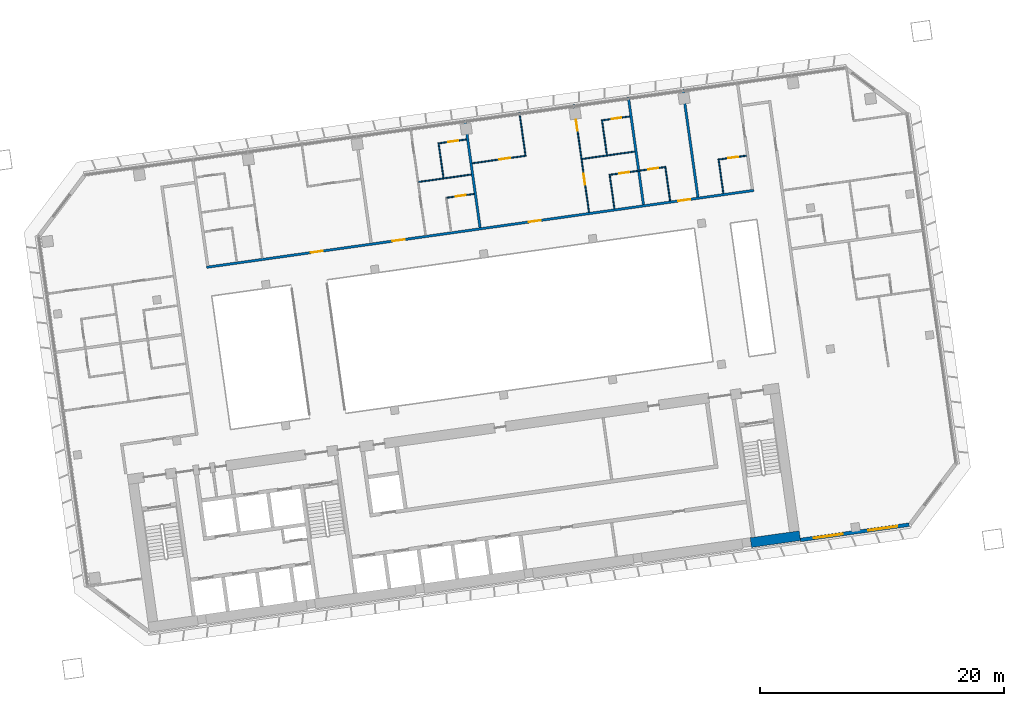
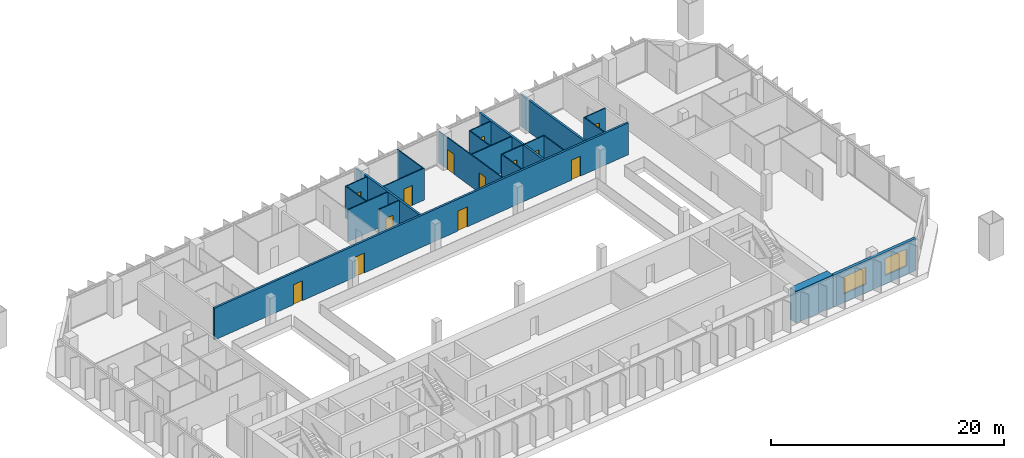
# One storey, part 22 of 27: 21 walls, 13 doors, 2 windows, 15 openings.
"""IFC4 building model written with IfcOpenShell, lengths in metres."""

from ifc_helpers import new_model, si_unit, direction, frame, frame_2d, origin, place, context, subcontext, project, spatial, rectangle, extrude, material, layer, layer_set, type_object, element, fill, save


model = new_model("IFC4")

# Units and contexts
model_context = context("Model", 3, precision=1e-05, world=origin(), true_north=direction((0.0, 1.0)))
body_context = subcontext(model_context, "Body", "Model", "MODEL_VIEW")
ifc_project = project(units=[si_unit("LENGTHUNIT", "METRE"), si_unit("AREAUNIT", "SQUARE_METRE"), si_unit("VOLUMEUNIT", "CUBIC_METRE"), si_unit("PLANEANGLEUNIT", "RADIAN"), si_unit("MASSUNIT", "GRAM", prefix="KILO")], contexts=[model_context])

# Site, building, storey
site_placement = place(None, origin())
site = spatial("IfcSite", under=ifc_project, at=site_placement, CompositionType="ELEMENT")
building_placement = place(site_placement, origin())
building = spatial("IfcBuilding", under=site, at=building_placement, Name="Mirante Cascada Hotel Towers", CompositionType="ELEMENT")
storey_placement = place(building_placement, frame((0.0, 0.0, 117.7)))
storey = spatial("IfcBuildingStorey", under=building, at=storey_placement, Name="L26", CompositionType="ELEMENT", Elevation=117.7)

# Wall, openings, doors
ifc_material_1 = material(Name="Fire-rated plasterboard on metal studs")
ifc_layer_1 = layer(ifc_material_1, 0.2)
ifc_layer_set_1 = layer_set([ifc_layer_1], Name="Compartment wall 200 EI 120")
wall_type_1 = type_object("IfcWallType", Name="Compartment wall 200 EI 120", PredefinedType="PARTITIONING", material=ifc_layer_set_1)
wall_1_placement = place(storey_placement, frame((86.638, 16.0582, 0.0), z_axis=(0.0, 0.0, 1.0), x_axis=(-0.9902681, -0.1391726, 0.0)))
wall_1 = element("IfcWall", 1, at=wall_1_placement, inside=storey, type_object=wall_type_1, Name="Wall 2-L26-16", PredefinedType="PARTITIONING", context=body_context, shape_type="SweptSolid", body=[
    extrude(rectangle(XDim=45.2, YDim=0.2, at=frame_2d((22.6, 0.0))), origin(), (0.0, 0.0, 1.0), 3.35),
])
opening_1_placement = place(wall_1_placement, frame((35.6, 0.0, 0.0)))
opening_1 = element("IfcOpeningElement", 2, at=opening_1_placement, cuts=wall_1, Name="Opening D2-L26-09", PredefinedType="OPENING", context=body_context, shape_type="SweptSolid", body=[
    extrude(rectangle(XDim=1.0, YDim=2.1, at=frame_2d((0.5, 1.05))), frame((0.0, 0.1, 0.0), z_axis=(0.0, -1.0, 0.0), x_axis=(1.0, 0.0, 0.0)), (0.0, 0.0, 1.0), 0.2),
])
opening_2_placement = place(wall_1_placement, frame((28.85, 0.0, 0.0)))
opening_2 = element("IfcOpeningElement", 3, at=opening_2_placement, cuts=wall_1, Name="Opening D2-L26-10", PredefinedType="OPENING", context=body_context, shape_type="SweptSolid", body=[
    extrude(rectangle(XDim=1.0, YDim=2.1, at=frame_2d((0.5, 1.05))), frame((0.0, 0.1, 0.0), z_axis=(0.0, -1.0, 0.0), x_axis=(1.0, 0.0, 0.0)), (0.0, 0.0, 1.0), 0.2),
])
opening_3_placement = place(wall_1_placement, frame((17.6, 0.0, 0.0)))
opening_3 = element("IfcOpeningElement", 4, at=opening_3_placement, cuts=wall_1, Name="Opening D2-L26-11", PredefinedType="OPENING", context=body_context, shape_type="SweptSolid", body=[
    extrude(rectangle(XDim=1.0, YDim=2.1, at=frame_2d((0.5, 1.05))), frame((0.0, 0.1, 0.0), z_axis=(0.0, -1.0, 0.0), x_axis=(1.0, 0.0, 0.0)), (0.0, 0.0, 1.0), 0.2),
])
opening_4_placement = place(wall_1_placement, frame((5.25, 0.0, 0.0)))
opening_4 = element("IfcOpeningElement", 5, at=opening_4_placement, cuts=wall_1, Name="Opening D2-L26-12", PredefinedType="OPENING", context=body_context, shape_type="SweptSolid", body=[
    extrude(rectangle(XDim=1.0, YDim=2.1, at=frame_2d((0.5, 1.05))), frame((0.0, 0.1, 0.0), z_axis=(0.0, -1.0, 0.0), x_axis=(1.0, 0.0, 0.0)), (0.0, 0.0, 1.0), 0.2),
])
ifc_material_2 = material(Name="Fire-rated timber door leaf", Category="wood")
door_type_1 = type_object("IfcDoorType", Name="Entrance door DG1 1000x2100 EI 60", OperationType="SINGLE_SWING_LEFT", PredefinedType="DOOR", material=ifc_material_2)
door_1_placement = place(opening_1_placement, frame((1.0, 0.0, 0.0), z_axis=(0.0, 0.0, 1.0), x_axis=(-1.0, 0.0, 0.0)))
door_1 = element("IfcDoor", 6, at=door_1_placement, inside=storey, type_object=door_type_1, Name="Door D2-L26-09", OperationType="SINGLE_SWING_RIGHT", OverallHeight=2.1, OverallWidth=1.0, PredefinedType="DOOR", context=body_context, shape_type="SweptSolid", body=[
    extrude(rectangle(XDim=1.0, YDim=2.1, at=frame_2d((0.5, 1.05))), frame((0.0, 0.025, 0.0), z_axis=(0.0, -1.0, 0.0), x_axis=(1.0, 0.0, 0.0)), (0.0, 0.0, 1.0), 0.05),
])
fill(opening_1, door_1)
door_2_placement = place(opening_2_placement, frame((1.0, 0.0, 0.0), z_axis=(0.0, 0.0, 1.0), x_axis=(-1.0, 0.0, 0.0)))
door_2 = element("IfcDoor", 7, at=door_2_placement, inside=storey, type_object=door_type_1, Name="Door D2-L26-10", OperationType="SINGLE_SWING_RIGHT", OverallHeight=2.1, OverallWidth=1.0, PredefinedType="DOOR", context=body_context, shape_type="SweptSolid", body=[
    extrude(rectangle(XDim=1.0, YDim=2.1, at=frame_2d((0.5, 1.05))), frame((0.0, 0.025, 0.0), z_axis=(0.0, -1.0, 0.0), x_axis=(1.0, 0.0, 0.0)), (0.0, 0.0, 1.0), 0.05),
])
fill(opening_2, door_2)
door_3_placement = place(opening_3_placement, frame((1.0, 0.0, 0.0), z_axis=(0.0, 0.0, 1.0), x_axis=(-1.0, 0.0, 0.0)))
door_3 = element("IfcDoor", 8, at=door_3_placement, inside=storey, type_object=door_type_1, Name="Door D2-L26-11", OperationType="SINGLE_SWING_RIGHT", OverallHeight=2.1, OverallWidth=1.0, PredefinedType="DOOR", context=body_context, shape_type="SweptSolid", body=[
    extrude(rectangle(XDim=1.0, YDim=2.1, at=frame_2d((0.5, 1.05))), frame((0.0, 0.025, 0.0), z_axis=(0.0, -1.0, 0.0), x_axis=(1.0, 0.0, 0.0)), (0.0, 0.0, 1.0), 0.05),
])
fill(opening_3, door_3)
door_4_placement = place(opening_4_placement, frame((1.0, 0.0, 0.0), z_axis=(0.0, 0.0, 1.0), x_axis=(-1.0, 0.0, 0.0)))
door_4 = element("IfcDoor", 9, at=door_4_placement, inside=storey, type_object=door_type_1, Name="Door D2-L26-12", OperationType="SINGLE_SWING_RIGHT", OverallHeight=2.1, OverallWidth=1.0, PredefinedType="DOOR", context=body_context, shape_type="SweptSolid", body=[
    extrude(rectangle(XDim=1.0, YDim=2.1, at=frame_2d((0.5, 1.05))), frame((0.0, 0.025, 0.0), z_axis=(0.0, -1.0, 0.0), x_axis=(1.0, 0.0, 0.0)), (0.0, 0.0, 1.0), 0.05),
])
fill(opening_4, door_4)

# Walls
for number, where, z_axis, x_axis, name in (
    (10, (63.0054, 21.8253, 0.0), (0.0, 0.0, 1.0), (0.1391684, -0.9902687, 0.0), "Wall 2-L26-46"),
    (11, (77.6126, 14.8908, 0.0), (0.0, 0.0, 1.0), (-0.1391684, 0.9902687, 0.0), "Wall 2-L26-51"),
):
    element("IfcWall", number, at=place(storey_placement, frame(where, z_axis=z_axis, x_axis=x_axis)), inside=storey, type_object=wall_type_1, Name=name, PredefinedType="PARTITIONING", context=body_context, shape_type="SweptSolid", body=[
        extrude(rectangle(XDim=8.9, YDim=0.2, at=frame_2d((4.45, 0.0))), origin(), (0.0, 0.0, 1.0), 3.35),
    ])
wall_2_placement = place(storey_placement, frame((82.0688, 15.5171, 0.0), z_axis=(0.0, 0.0, 1.0), x_axis=(-0.13917, 0.9902685, 0.0)))
element("IfcWall", 12, at=wall_2_placement, inside=storey, type_object=wall_type_1, Name="Wall 2-L26-53", PredefinedType="PARTITIONING", context=body_context, shape_type="SweptSolid", body=[
    extrude(rectangle(XDim=8.8999, YDim=0.2, at=frame_2d((4.45, 0.0))), origin(), (0.0, 0.0, 1.0), 3.35),
])

# Wall, opening, door
ifc_material_3 = material(Name="Plasterboard on metal studs")
ifc_layer_2 = layer(ifc_material_3, 0.1)
ifc_layer_set_2 = layer_set([ifc_layer_2], Name="Partition 100")
wall_type_2 = type_object("IfcWallType", Name="Partition 100", PredefinedType="PARTITIONING", material=ifc_layer_set_2)
wall_3_placement = place(storey_placement, frame((63.7553, 15.7708, 0.0), z_axis=(0.0, 0.0, 1.0), x_axis=(-0.9902643, -0.1391997, 0.0)))
wall_3 = element("IfcWall", 13, at=wall_3_placement, inside=storey, type_object=wall_type_2, Name="Wall 2-L26-18", PredefinedType="PARTITIONING", context=body_context, shape_type="SweptSolid", body=[
    extrude(rectangle(XDim=2.25, YDim=0.1, at=frame_2d((1.125, 0.0))), origin(), (0.0, 0.0, 1.0), 3.35),
])
opening_5_placement = place(wall_3_placement, frame((0.7, 0.0, 0.0)))
opening_5 = element("IfcOpeningElement", 14, at=opening_5_placement, cuts=wall_3, Name="Opening D2-L26-14", PredefinedType="OPENING", context=body_context, shape_type="SweptSolid", body=[
    extrude(rectangle(XDim=0.8, YDim=2.1, at=frame_2d((0.4, 1.05))), frame((0.0, 0.05, 0.0), z_axis=(0.0, -1.0, 0.0), x_axis=(1.0, 0.0, 0.0)), (0.0, 0.0, 1.0), 0.1),
])
ifc_material_4 = material(Name="Timber door leaf", Category="wood")
door_type_2 = type_object("IfcDoorType", Name="Bathroom door DG4 800x2100", OperationType="SINGLE_SWING_LEFT", PredefinedType="DOOR", material=ifc_material_4)
door_5_placement = place(opening_5_placement, origin())
door_5 = element("IfcDoor", 15, at=door_5_placement, inside=storey, type_object=door_type_2, Name="Door D2-L26-14", OperationType="SINGLE_SWING_LEFT", OverallHeight=2.1, OverallWidth=0.8, PredefinedType="DOOR", context=body_context, shape_type="SweptSolid", body=[
    extrude(rectangle(XDim=0.8, YDim=2.1, at=frame_2d((0.4, 1.05))), frame((0.0, 0.025, 0.0), z_axis=(0.0, -1.0, 0.0), x_axis=(1.0, 0.0, 0.0)), (0.0, 0.0, 1.0), 0.05),
])
fill(opening_5, door_5)

# Wall, openings, doors
wall_4_placement = place(storey_placement, frame((74.7968, 17.3226, 0.0), z_axis=(0.0, 0.0, 1.0), x_axis=(0.9902682, 0.139172, 0.0)))
wall_4 = element("IfcWall", 16, at=wall_4_placement, inside=storey, type_object=wall_type_2, Name="Wall 2-L26-19", PredefinedType="PARTITIONING", context=body_context, shape_type="SweptSolid", body=[
    extrude(rectangle(XDim=4.6999, YDim=0.1, at=frame_2d((2.35, 0.0))), origin(), (0.0, 0.0, 1.0), 3.35),
])
opening_6_placement = place(wall_4_placement, frame((0.85, 0.0, 0.0)))
opening_6 = element("IfcOpeningElement", 17, at=opening_6_placement, cuts=wall_4, Name="Opening D2-L26-15", PredefinedType="OPENING", context=body_context, shape_type="SweptSolid", body=[
    extrude(rectangle(XDim=0.8, YDim=2.1, at=frame_2d((0.4, 1.05))), frame((0.0, 0.05, 0.0), z_axis=(0.0, -1.0, 0.0), x_axis=(1.0, 0.0, 0.0)), (0.0, 0.0, 1.0), 0.1),
])
opening_7_placement = place(wall_4_placement, frame((3.25, 0.0, 0.0)))
opening_7 = element("IfcOpeningElement", 18, at=opening_7_placement, cuts=wall_4, Name="Opening D2-L26-16", PredefinedType="OPENING", context=body_context, shape_type="SweptSolid", body=[
    extrude(rectangle(XDim=0.8, YDim=2.1, at=frame_2d((0.4, 1.05))), frame((0.0, 0.05, 0.0), z_axis=(0.0, -1.0, 0.0), x_axis=(1.0, 0.0, 0.0)), (0.0, 0.0, 1.0), 0.1),
])
door_6_placement = place(opening_6_placement, frame((0.8, 0.0, 0.0), z_axis=(0.0, 0.0, 1.0), x_axis=(-1.0, 0.0, 0.0)))
door_6 = element("IfcDoor", 19, at=door_6_placement, inside=storey, type_object=door_type_2, Name="Door D2-L26-15", OperationType="SINGLE_SWING_RIGHT", OverallHeight=2.1, OverallWidth=0.8, PredefinedType="DOOR", context=body_context, shape_type="SweptSolid", body=[
    extrude(rectangle(XDim=0.8, YDim=2.1, at=frame_2d((0.4, 1.05))), frame((0.0, 0.025, 0.0), z_axis=(0.0, -1.0, 0.0), x_axis=(1.0, 0.0, 0.0)), (0.0, 0.0, 1.0), 0.05),
])
fill(opening_6, door_6)
door_7_placement = place(opening_7_placement, origin())
door_7 = element("IfcDoor", 20, at=door_7_placement, inside=storey, type_object=door_type_2, Name="Door D2-L26-16", OperationType="SINGLE_SWING_LEFT", OverallHeight=2.1, OverallWidth=0.8, PredefinedType="DOOR", context=body_context, shape_type="SweptSolid", body=[
    extrude(rectangle(XDim=0.8, YDim=2.1, at=frame_2d((0.4, 1.05))), frame((0.0, 0.025, 0.0), z_axis=(0.0, -1.0, 0.0), x_axis=(1.0, 0.0, 0.0)), (0.0, 0.0, 1.0), 0.05),
])
fill(opening_7, door_7)

# Wall, opening, door
wall_5_placement = place(storey_placement, frame((86.0363, 18.9022, 0.0), z_axis=(0.0, 0.0, 1.0), x_axis=(-0.9902643, -0.1391997, 0.0)))
wall_5 = element("IfcWall", 21, at=wall_5_placement, inside=storey, type_object=wall_type_2, Name="Wall 2-L26-20", PredefinedType="PARTITIONING", context=body_context, shape_type="SweptSolid", body=[
    extrude(rectangle(XDim=2.25, YDim=0.1, at=frame_2d((1.125, 0.0))), origin(), (0.0, 0.0, 1.0), 3.35),
])
opening_8_placement = place(wall_5_placement, frame((0.7, 0.0, 0.0)))
opening_8 = element("IfcOpeningElement", 22, at=opening_8_placement, cuts=wall_5, Name="Opening D2-L26-17", PredefinedType="OPENING", context=body_context, shape_type="SweptSolid", body=[
    extrude(rectangle(XDim=0.8, YDim=2.1, at=frame_2d((0.4, 1.05))), frame((0.0, 0.05, 0.0), z_axis=(0.0, -1.0, 0.0), x_axis=(1.0, 0.0, 0.0)), (0.0, 0.0, 1.0), 0.1),
])
door_8_placement = place(opening_8_placement, frame((0.8, 0.0, 0.0), z_axis=(0.0, 0.0, 1.0), x_axis=(-1.0, 0.0, 0.0)))
door_8 = element("IfcDoor", 23, at=door_8_placement, inside=storey, type_object=door_type_2, Name="Door D2-L26-17", OperationType="SINGLE_SWING_RIGHT", OverallHeight=2.1, OverallWidth=0.8, PredefinedType="DOOR", context=body_context, shape_type="SweptSolid", body=[
    extrude(rectangle(XDim=0.8, YDim=2.1, at=frame_2d((0.4, 1.05))), frame((0.0, 0.025, 0.0), z_axis=(0.0, -1.0, 0.0), x_axis=(1.0, 0.0, 0.0)), (0.0, 0.0, 1.0), 0.05),
])
fill(opening_8, door_8)

# Walls
wall_6_placement = place(storey_placement, frame((63.5326, 17.3552, 0.0), z_axis=(0.0, 0.0, 1.0), x_axis=(-0.9902683, -0.1391714, 0.0)))
element("IfcWall", 24, at=wall_6_placement, inside=storey, type_object=wall_type_2, Name="Wall 2-L26-22", PredefinedType="PARTITIONING", context=body_context, shape_type="SweptSolid", body=[
    extrude(rectangle(XDim=4.35, YDim=0.1, at=frame_2d((2.175, 0.0))), origin(), (0.0, 0.0, 1.0), 3.35),
])
wall_7_placement = place(storey_placement, frame((72.5936, 18.6286, 0.0), z_axis=(0.0, 0.0, 1.0), x_axis=(0.9902679, 0.1391745, 0.0)))
element("IfcWall", 25, at=wall_7_placement, inside=storey, type_object=wall_type_2, Name="Wall 2-L26-23", PredefinedType="PARTITIONING", context=body_context, shape_type="SweptSolid", body=[
    extrude(rectangle(XDim=4.3499, YDim=0.1, at=frame_2d((2.175, 0.0))), origin(), (0.0, 0.0, 1.0), 3.35),
])

# Wall, opening, door
wall_8_placement = place(storey_placement, frame((68.0121, 18.8936, 0.0), z_axis=(0.0, 0.0, 1.0), x_axis=(-0.9902687, -0.1391684, 0.0)))
wall_8 = element("IfcWall", 26, at=wall_8_placement, inside=storey, type_object=wall_type_2, Name="Wall 2-L26-26", PredefinedType="PARTITIONING", context=body_context, shape_type="SweptSolid", body=[
    extrude(rectangle(XDim=4.45, YDim=0.1, at=frame_2d((2.225, 0.0))), origin(), (0.0, 0.0, 1.0), 3.35),
])
opening_9_placement = place(wall_8_placement, frame((1.3, 0.0, 0.0)))
opening_9 = element("IfcOpeningElement", 27, at=opening_9_placement, cuts=wall_8, Name="Opening D2-L26-19", PredefinedType="OPENING", context=body_context, shape_type="SweptSolid", body=[
    extrude(rectangle(XDim=0.9, YDim=2.1, at=frame_2d((0.45, 1.05))), frame((0.0, 0.05, 0.0), z_axis=(0.0, -1.0, 0.0), x_axis=(1.0, 0.0, 0.0)), (0.0, 0.0, 1.0), 0.1),
])
ifc_material_5 = material(Name="Timber door leaf", Category="wood")
door_type_3 = type_object("IfcDoorType", Name="Room door DG3 900x2100", OperationType="SINGLE_SWING_LEFT", PredefinedType="DOOR", material=ifc_material_5)
door_9_placement = place(opening_9_placement, origin())
door_9 = element("IfcDoor", 28, at=door_9_placement, inside=storey, type_object=door_type_3, Name="Door D2-L26-19", OperationType="SINGLE_SWING_LEFT", OverallHeight=2.1, OverallWidth=0.9, PredefinedType="DOOR", context=body_context, shape_type="SweptSolid", body=[
    extrude(rectangle(XDim=0.9, YDim=2.1, at=frame_2d((0.45, 1.05))), frame((0.0, 0.025, 0.0), z_axis=(0.0, -1.0, 0.0), x_axis=(1.0, 0.0, 0.0)), (0.0, 0.0, 1.0), 0.05),
])
fill(opening_9, door_9)

wall_9_placement = place(storey_placement, frame((63.129, 20.227, 0.0), z_axis=(0.0, 0.0, 1.0), x_axis=(-0.9902643, -0.1391997, 0.0)))
wall_9 = element("IfcWall", 29, at=wall_9_placement, inside=storey, type_object=wall_type_2, Name="Wall 2-L26-30", PredefinedType="PARTITIONING", context=body_context, shape_type="SweptSolid", body=[
    extrude(rectangle(XDim=2.25, YDim=0.1, at=frame_2d((1.125, 0.0))), origin(), (0.0, 0.0, 1.0), 3.35),
])
opening_10_placement = place(wall_9_placement, frame((0.7, 0.0, 0.0)))
opening_10 = element("IfcOpeningElement", 30, at=opening_10_placement, cuts=wall_9, Name="Opening D2-L26-21", PredefinedType="OPENING", context=body_context, shape_type="SweptSolid", body=[
    extrude(rectangle(XDim=0.8, YDim=2.1, at=frame_2d((0.4, 1.05))), frame((0.0, 0.05, 0.0), z_axis=(0.0, -1.0, 0.0), x_axis=(1.0, 0.0, 0.0)), (0.0, 0.0, 1.0), 0.1),
])
door_10_placement = place(opening_10_placement, origin())
door_10 = element("IfcDoor", 31, at=door_10_placement, inside=storey, type_object=door_type_2, Name="Door D2-L26-21", OperationType="SINGLE_SWING_LEFT", OverallHeight=2.1, OverallWidth=0.8, PredefinedType="DOOR", context=body_context, shape_type="SweptSolid", body=[
    extrude(rectangle(XDim=0.8, YDim=2.1, at=frame_2d((0.4, 1.05))), frame((0.0, 0.025, 0.0), z_axis=(0.0, -1.0, 0.0), x_axis=(1.0, 0.0, 0.0)), (0.0, 0.0, 1.0), 0.05),
])
fill(opening_10, door_10)

wall_10_placement = place(storey_placement, frame((74.2695, 21.7927, 0.0), z_axis=(0.0, 0.0, 1.0), x_axis=(0.9902705, 0.1391561, 0.0)))
wall_10 = element("IfcWall", 32, at=wall_10_placement, inside=storey, type_object=wall_type_2, Name="Wall 2-L26-31", PredefinedType="PARTITIONING", context=body_context, shape_type="SweptSolid", body=[
    extrude(rectangle(XDim=2.25, YDim=0.1, at=frame_2d((1.125, 0.0))), origin(), (0.0, 0.0, 1.0), 3.35),
])
opening_11_placement = place(wall_10_placement, frame((0.75, 0.0, 0.0)))
opening_11 = element("IfcOpeningElement", 33, at=opening_11_placement, cuts=wall_10, Name="Opening D2-L26-22", PredefinedType="OPENING", context=body_context, shape_type="SweptSolid", body=[
    extrude(rectangle(XDim=0.8, YDim=2.1, at=frame_2d((0.4, 1.05))), frame((0.0, 0.05, 0.0), z_axis=(0.0, -1.0, 0.0), x_axis=(1.0, 0.0, 0.0)), (0.0, 0.0, 1.0), 0.1),
])
door_11_placement = place(opening_11_placement, frame((0.8, 0.0, 0.0), z_axis=(0.0, 0.0, 1.0), x_axis=(-1.0, 0.0, 0.0)))
door_11 = element("IfcDoor", 34, at=door_11_placement, inside=storey, type_object=door_type_2, Name="Door D2-L26-22", OperationType="SINGLE_SWING_RIGHT", OverallHeight=2.1, OverallWidth=0.8, PredefinedType="DOOR", context=body_context, shape_type="SweptSolid", body=[
    extrude(rectangle(XDim=0.8, YDim=2.1, at=frame_2d((0.4, 1.05))), frame((0.0, 0.025, 0.0), z_axis=(0.0, -1.0, 0.0), x_axis=(1.0, 0.0, 0.0)), (0.0, 0.0, 1.0), 0.05),
])
fill(opening_11, door_11)

# Walls
wall_11_placement = place(storey_placement, frame((61.248, 17.0846, 0.0), z_axis=(0.0, 0.0, 1.0), x_axis=(-0.1391714, 0.9902683, 0.0)))
element("IfcWall", 35, at=wall_11_placement, inside=storey, type_object=wall_type_2, Name="Wall 2-L26-45", PredefinedType="PARTITIONING", context=body_context, shape_type="SweptSolid", body=[
    extrude(rectangle(XDim=2.9, YDim=0.1, at=frame_2d((1.45, 0.0))), origin(), (0.0, 0.0, 1.0), 3.35),
])
wall_12_placement = place(storey_placement, frame((67.9556, 18.9362, 0.0), z_axis=(0.0, 0.0, 1.0), x_axis=(-0.1391573, 0.9902703, 0.0)))
element("IfcWall", 36, at=wall_12_placement, inside=storey, type_object=wall_type_2, Name="Wall 2-L26-47", PredefinedType="PARTITIONING", context=body_context, shape_type="SweptSolid", body=[
    extrude(rectangle(XDim=3.5499, YDim=0.1, at=frame_2d((1.775, 0.0))), origin(), (0.0, 0.0, 1.0), 3.35),
])

# Wall, openings, doors
wall_13_placement = place(storey_placement, frame((71.9178, 23.0779, 0.0), z_axis=(0.0, 0.0, 1.0), x_axis=(0.1391684, -0.9902687, 0.0)))
wall_13 = element("IfcWall", 37, at=wall_13_placement, inside=storey, type_object=wall_type_2, Name="Wall 2-L26-48", PredefinedType="PARTITIONING", context=body_context, shape_type="SweptSolid", body=[
    extrude(rectangle(XDim=8.9, YDim=0.1, at=frame_2d((4.45, 0.0))), origin(), (0.0, 0.0, 1.0), 3.35),
])
opening_12_placement = place(wall_13_placement, frame((5.7, 0.0, 0.0)))
opening_12 = element("IfcOpeningElement", 38, at=opening_12_placement, cuts=wall_13, Name="Opening D2-L26-32", PredefinedType="OPENING", context=body_context, shape_type="SweptSolid", body=[
    extrude(rectangle(XDim=0.9, YDim=2.1, at=frame_2d((0.45, 1.05))), frame((0.0, 0.05, 0.0), z_axis=(0.0, -1.0, 0.0), x_axis=(1.0, 0.0, 0.0)), (0.0, 0.0, 1.0), 0.1),
])
opening_13_placement = place(wall_13_placement, frame((1.25, 0.0, 0.0)))
opening_13 = element("IfcOpeningElement", 39, at=opening_13_placement, cuts=wall_13, Name="Opening D2-L26-33", PredefinedType="OPENING", context=body_context, shape_type="SweptSolid", body=[
    extrude(rectangle(XDim=0.9, YDim=2.1, at=frame_2d((0.45, 1.05))), frame((0.0, 0.05, 0.0), z_axis=(0.0, -1.0, 0.0), x_axis=(1.0, 0.0, 0.0)), (0.0, 0.0, 1.0), 0.1),
])
door_12_placement = place(opening_12_placement, frame((0.9, 0.0, 0.0), z_axis=(0.0, 0.0, 1.0), x_axis=(-1.0, 0.0, 0.0)))
door_12 = element("IfcDoor", 40, at=door_12_placement, inside=storey, type_object=door_type_3, Name="Door D2-L26-32", OperationType="SINGLE_SWING_RIGHT", OverallHeight=2.1, OverallWidth=0.9, PredefinedType="DOOR", context=body_context, shape_type="SweptSolid", body=[
    extrude(rectangle(XDim=0.9, YDim=2.1, at=frame_2d((0.45, 1.05))), frame((0.0, 0.025, 0.0), z_axis=(0.0, -1.0, 0.0), x_axis=(1.0, 0.0, 0.0)), (0.0, 0.0, 1.0), 0.05),
])
fill(opening_12, door_12)
door_13_placement = place(opening_13_placement, frame((0.9, 0.0, 0.0), z_axis=(0.0, 0.0, 1.0), x_axis=(-1.0, 0.0, 0.0)))
door_13 = element("IfcDoor", 41, at=door_13_placement, inside=storey, type_object=door_type_3, Name="Door D2-L26-33", OperationType="SINGLE_SWING_RIGHT", OverallHeight=2.1, OverallWidth=0.9, PredefinedType="DOOR", context=body_context, shape_type="SweptSolid", body=[
    extrude(rectangle(XDim=0.9, YDim=2.1, at=frame_2d((0.45, 1.05))), frame((0.0, 0.025, 0.0), z_axis=(0.0, -1.0, 0.0), x_axis=(1.0, 0.0, 0.0)), (0.0, 0.0, 1.0), 0.05),
])
fill(opening_13, door_13)

# Walls
wall_14_placement = place(storey_placement, frame((75.236, 14.5568, 0.0), z_axis=(0.0, 0.0, 1.0), x_axis=(-0.1391657, 0.9902691, 0.0)))
element("IfcWall", 42, at=wall_14_placement, inside=storey, type_object=wall_type_2, Name="Wall 2-L26-49", PredefinedType="PARTITIONING", context=body_context, shape_type="SweptSolid", body=[
    extrude(rectangle(XDim=2.75, YDim=0.1, at=frame_2d((1.375, 0.0))), origin(), (0.0, 0.0, 1.0), 3.35),
])
wall_15_placement = place(storey_placement, frame((74.2131, 21.8352, 0.0), z_axis=(0.0, 0.0, 1.0), x_axis=(0.1391761, -0.9902676, 0.0)))
element("IfcWall", 43, at=wall_15_placement, inside=storey, type_object=wall_type_2, Name="Wall 2-L26-50", PredefinedType="PARTITIONING", context=body_context, shape_type="SweptSolid", body=[
    extrude(rectangle(XDim=2.8999, YDim=0.1, at=frame_2d((1.45, 0.0))), origin(), (0.0, 0.0, 1.0), 3.35),
])
wall_16_placement = place(storey_placement, frame((79.4085, 17.9202, 0.0), z_axis=(0.0, 0.0, 1.0), x_axis=(0.1391657, -0.9902691, 0.0)))
element("IfcWall", 44, at=wall_16_placement, inside=storey, type_object=wall_type_2, Name="Wall 2-L26-52", PredefinedType="PARTITIONING", context=body_context, shape_type="SweptSolid", body=[
    extrude(rectangle(XDim=2.75, YDim=0.1, at=frame_2d((1.375, 0.0))), origin(), (0.0, 0.0, 1.0), 3.35),
])
wall_17_placement = place(storey_placement, frame((83.7517, 18.6316, 0.0), z_axis=(0.0, 0.0, 1.0), x_axis=(0.1391909, -0.9902656, 0.0)))
element("IfcWall", 45, at=wall_17_placement, inside=storey, type_object=wall_type_2, Name="Wall 2-L26-54", PredefinedType="PARTITIONING", context=body_context, shape_type="SweptSolid", body=[
    extrude(rectangle(XDim=2.85, YDim=0.1, at=frame_2d((1.425, 0.0))), origin(), (0.0, 0.0, 1.0), 3.35),
])

# Wall, openings, windows
ifc_material_6 = material(Name="Precast concrete C40/50", Category="concrete")
ifc_layer_3 = layer(ifc_material_6, 0.3)
ifc_layer_set_3 = layer_set([ifc_layer_3], Name="Precast concrete C40/50 cladding wall 300")
wall_type_3 = type_object("IfcWallType", Name="Precast concrete C40/50 cladding wall 300", PredefinedType="STANDARD", material=ifc_layer_set_3)
wall_18_placement = place(storey_placement, frame((90.4551, -12.5388, 0.0), z_axis=(0.0, 0.0, 1.0), x_axis=(0.9902678, 0.1391749, 0.0)))
wall_18 = element("IfcWall", 46, at=wall_18_placement, inside=storey, type_object=wall_type_3, Name="Rear cladding wall T2 L26 1", PredefinedType="STANDARD", context=body_context, shape_type="SweptSolid", body=[
    extrude(rectangle(XDim=8.9758, YDim=0.3, at=frame_2d((4.4879, 0.0))), origin(), (0.0, 0.0, 1.0), 3.35),
])
opening_14_placement = place(wall_18_placement, frame((1.1012, 0.0, 0.9)))
opening_14 = element("IfcOpeningElement", 47, at=opening_14_placement, cuts=wall_18, Name="Opening W2-26-01", PredefinedType="OPENING", context=body_context, shape_type="SweptSolid", body=[
    extrude(rectangle(XDim=2.4, YDim=1.8, at=frame_2d((1.2, 0.9))), frame((0.0, 0.15, 0.0), z_axis=(0.0, -1.0, 0.0), x_axis=(1.0, 0.0, 0.0)), (0.0, 0.0, 1.0), 0.3),
])
opening_15_placement = place(wall_18_placement, frame((5.5923, 0.0, 0.9)))
opening_15 = element("IfcOpeningElement", 48, at=opening_15_placement, cuts=wall_18, Name="Opening W2-26-02", PredefinedType="OPENING", context=body_context, shape_type="SweptSolid", body=[
    extrude(rectangle(XDim=2.4, YDim=1.8, at=frame_2d((1.2, 0.9))), frame((0.0, 0.15, 0.0), z_axis=(0.0, -1.0, 0.0), x_axis=(1.0, 0.0, 0.0)), (0.0, 0.0, 1.0), 0.3),
])
ifc_material_7 = material(Name="Aluminium frame with clear double glazing", Category="aluminium")
window_type = type_object("IfcWindowType", Name="Punched window 2400x1800", PartitioningType="DOUBLE_PANEL_VERTICAL", PredefinedType="WINDOW", material=ifc_material_7)
window_1_placement = place(opening_14_placement, origin())
window_1 = element("IfcWindow", 49, at=window_1_placement, inside=storey, type_object=window_type, Name="Window W2-26-01", OverallHeight=1.8, OverallWidth=2.4, PartitioningType="SINGLE_PANEL", PredefinedType="WINDOW", context=body_context, shape_type="SweptSolid", body=[
    extrude(rectangle(XDim=2.4, YDim=1.8, at=frame_2d((1.2, 0.9))), frame((0.0, 0.03, 0.0), z_axis=(0.0, -1.0, 0.0), x_axis=(1.0, 0.0, 0.0)), (0.0, 0.0, 1.0), 0.06),
])
fill(opening_14, window_1)
window_2_placement = place(opening_15_placement, origin())
window_2 = element("IfcWindow", 50, at=window_2_placement, inside=storey, type_object=window_type, Name="Window W2-26-02", OverallHeight=1.8, OverallWidth=2.4, PartitioningType="SINGLE_PANEL", PredefinedType="WINDOW", context=body_context, shape_type="SweptSolid", body=[
    extrude(rectangle(XDim=2.4, YDim=1.8, at=frame_2d((1.2, 0.9))), frame((0.0, 0.03, 0.0), z_axis=(0.0, -1.0, 0.0), x_axis=(1.0, 0.0, 0.0)), (0.0, 0.0, 1.0), 0.06),
])
fill(opening_15, window_2)

# Wall
ifc_material_8 = material(Name="Concrete C50/60", Category="concrete")
ifc_layer_4 = layer(ifc_material_8, 0.8)
ifc_layer_set_4 = layer_set([ifc_layer_4], Name="RC core wall 800 C50/60")
wall_type_4 = type_object("IfcWallType", Name="RC core wall 800 C50/60", PredefinedType="SHEAR", material=ifc_layer_set_4)
wall_19_placement = place(storey_placement, frame((86.3958, -12.7559, 0.0), z_axis=(0.0, 0.0, 1.0), x_axis=(0.9902665, 0.1391845, 0.0)))
element("IfcWall", 51, at=wall_19_placement, inside=storey, type_object=wall_type_4, Name="Core wall T2:L26:1.7", PredefinedType="SHEAR", context=body_context, shape_type="SweptSolid", body=[
    extrude(rectangle(XDim=4.05, YDim=0.8, at=frame_2d((2.025, 0.0))), origin(), (0.0, 0.0, 1.0), 3.35),
])

save(model, "model.ifc")
